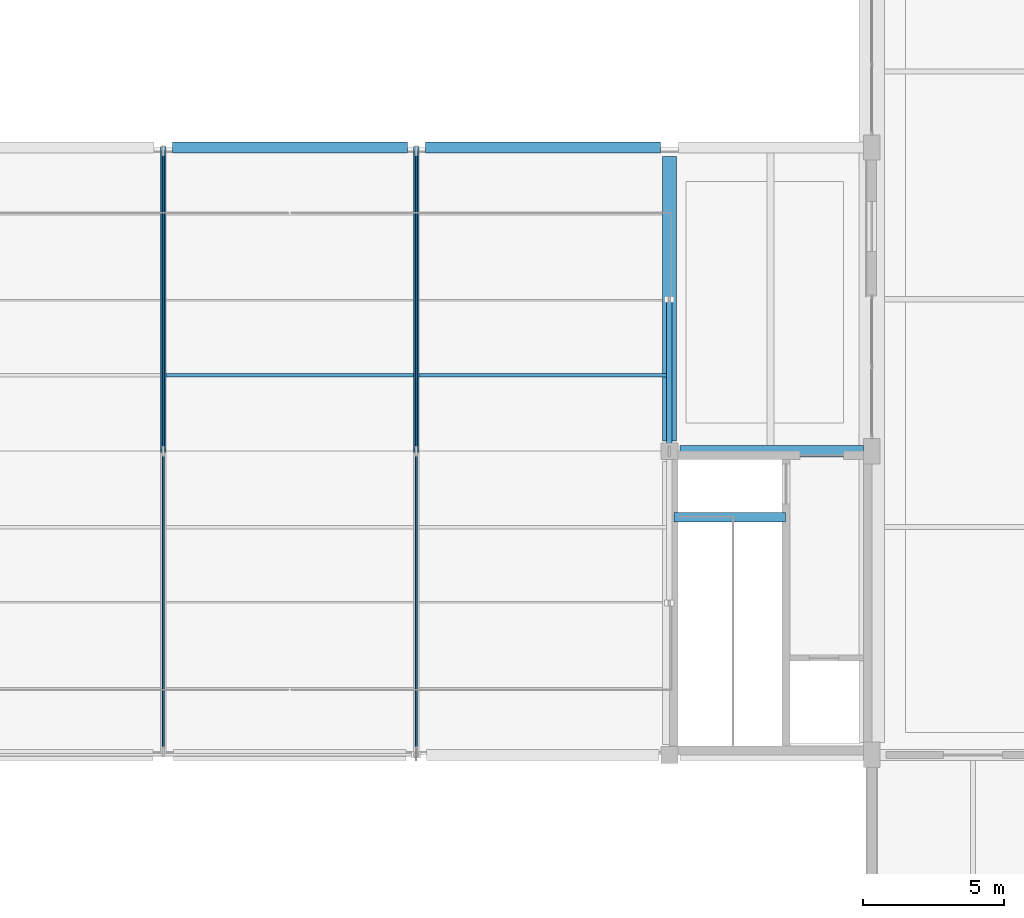
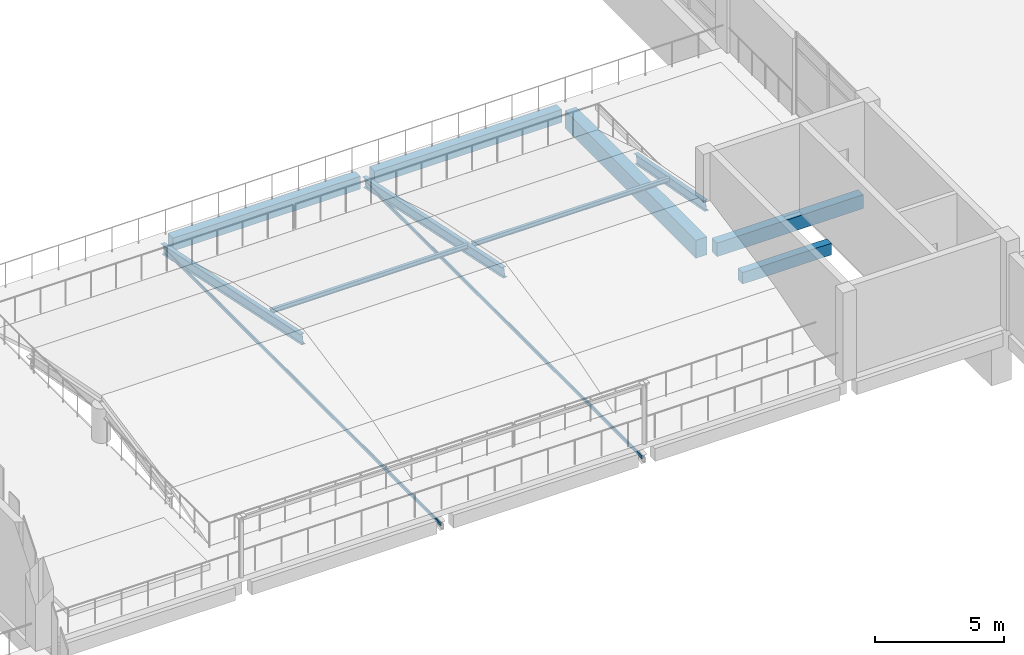
# One storey, part 21 of 158: 8 beams, 4 members.
"""IFC4 building model written with IfcOpenShell, lengths in metres."""

from ifc_helpers import new_model, si_unit, direction, frame, origin, origin_2d, place, context, subcontext, project, spatial, rectangle, hollow_rectangle, i_section, extrude, material, material_profile, profile_set, type_object, element, save


model = new_model("IFC4")

# Units and contexts
model_context = context("Model", 3, precision=1e-05, world=origin(), true_north=direction((0.0, 1.0)))
body_context = subcontext(model_context, "Body", "Model", "MODEL_VIEW")
ifc_project = project(units=[si_unit("LENGTHUNIT", "METRE"), si_unit("AREAUNIT", "SQUARE_METRE"), si_unit("VOLUMEUNIT", "CUBIC_METRE"), si_unit("PLANEANGLEUNIT", "RADIAN"), si_unit("MASSUNIT", "GRAM", prefix="KILO")], contexts=[model_context])

# Site, building, storey
site_placement = place(None, origin())
site = spatial("IfcSite", under=ifc_project, at=site_placement, CompositionType="ELEMENT")
building_placement = place(site_placement, origin())
building = spatial("IfcBuilding", under=site, at=building_placement, Name="Lusvemor Sports Hall", CompositionType="ELEMENT")
storey_placement = place(building_placement, frame((0.0, 0.0, 10.800048828125)))
storey = spatial("IfcBuildingStorey", under=building, at=storey_placement, Name="L02", CompositionType="ELEMENT", Elevation=10.800048828125)

# Beams
ifc_material_1 = material(Name="Concrete C40/50", Category="concrete")
ifc_material_profile_1 = material_profile(ifc_material_1, rectangle(XDim=0.35009765625, YDim=0.550048828125, at=origin_2d()), Name="RC350x550")
ifc_profile_set_1 = profile_set([ifc_material_profile_1], Name="Concrete C40/50")
beam_type_1 = type_object("IfcBeamType", Name="BEAM_RC_550", PredefinedType="BEAM", material=ifc_profile_set_1)
beam_1_placement = place(storey_placement, frame((111.760009765625, 15.64990234375, -0.455078125), z_axis=(1.0, 0.0, 0.0), x_axis=(0.0, 1.0, 0.0)))
element("IfcBeam", 1, at=beam_1_placement, inside=storey, type_object=beam_type_1, Name="Stair STR-C7-L01 Top-Landing Beam", PredefinedType="BEAM", context=body_context, shape_type="SweptSolid", body=[
    extrude(rectangle(XDim=0.35009765625, YDim=0.550048828125, at=origin_2d()), origin(), (0.0, 0.0, 1.0), 3.97998046875),
])
ifc_material_2 = material(Name="Concrete C40/50", Category="concrete")
ifc_material_profile_2 = material_profile(ifc_material_2, rectangle(XDim=0.39990234375, YDim=0.64990234375, at=origin_2d()), Name="RC400x650")
ifc_profile_set_2 = profile_set([ifc_material_profile_2], Name="Concrete C40/50")
beam_type_2 = type_object("IfcBeamType", Name="BEAM_RC_650", PredefinedType="BEAM", material=ifc_profile_set_2)
beam_2_placement = place(storey_placement, frame((111.970947265625, 18.0, -0.594970703125), z_axis=(1.0, 0.0, 0.0), x_axis=(0.0, 1.0, 0.0)))
element("IfcBeam", 2, at=beam_2_placement, inside=storey, type_object=beam_type_2, Name="Beam L02 C:12-13", PredefinedType="BEAM", context=body_context, shape_type="SweptSolid", body=[
    extrude(rectangle(XDim=0.39990234375, YDim=0.64990234375, at=origin_2d()), origin(), (0.0, 0.0, 1.0), 6.532958984375),
])
ifc_material_3 = material(Name="Concrete C40/50", Category="concrete")
ifc_material_profile_3 = material_profile(ifc_material_3, rectangle(XDim=0.5, YDim=0.85009765625, at=origin_2d()), Name="RC500x850")
ifc_profile_set_3 = profile_set([ifc_material_profile_3], Name="Concrete C40/50")
beam_type_3 = type_object("IfcBeamType", Name="GIRD_RC_850", PredefinedType="T_BEAM", material=ifc_profile_set_3)
beam_3_placement = place(storey_placement, frame((111.60009765625, 18.37109375, -0.695068359375), z_axis=(0.0, 1.0, 0.0), x_axis=(-1.0, 0.0, 0.0)))
element("IfcBeam", 3, at=beam_3_placement, inside=storey, type_object=beam_type_3, Name="Beam L02 12:C-D", PredefinedType="T_BEAM", context=body_context, shape_type="SweptSolid", body=[
    extrude(rectangle(XDim=0.5, YDim=0.85009765625, at=origin_2d()), origin(), (0.0, 0.0, 1.0), 10.10791015625),
])
ifc_material_4 = material(Name="Steel S355", Category="steel")
ifc_material_profile_4 = material_profile(ifc_material_4, i_section(OverallWidth=0.18994140625, OverallDepth=0.45703125, WebThickness=0.009033203125, FlangeThickness=0.014404296875, FilletRadius=0.01806640625, at=origin_2d()), Name="W460x74.0")
ifc_profile_set_4 = profile_set([ifc_material_profile_4], Name="Steel S355")
beam_type_4 = type_object("IfcBeamType", Name="GIRD_ST_460", PredefinedType="T_BEAM", material=ifc_profile_set_4)
for number, where, z_axis, x_axis, name in (
    (4, (93.60009765625, 28.800048828125, -0.75), (0.0, -0.978799085131, 0.204822730544), (1.0, 0.0, 0.0), "Foyer Lantern Portal Rafter 10-2"),
    (5, (102.60009765625, 28.800048828125, -0.75), (0.0, -0.978799085131, 0.204822730544), (1.0, 0.0, 0.0), "Foyer Lantern Portal Rafter 11-2"),
):
    element("IfcBeam", number, at=place(storey_placement, frame(where, z_axis=z_axis, x_axis=x_axis)), inside=storey, type_object=beam_type_4, Name=name, PredefinedType="T_BEAM", context=body_context, shape_type="SweptSolid", body=[
        extrude(i_section(OverallWidth=0.18994140625, OverallDepth=0.45703125, WebThickness=0.009033203125, FlangeThickness=0.014404296875, FilletRadius=0.01806640625, at=origin_2d()), origin(), (0.0, 0.0, 1.0), 11.033935546875),
    ])
beam_4_placement = place(storey_placement, frame((111.60009765625, 23.39990234375, 0.47998046875), z_axis=(0.0, -0.982289164746, 0.187371280679), x_axis=(1.0, 0.0, 0.0)))
element("IfcBeam", 6, at=beam_4_placement, inside=storey, type_object=beam_type_4, Name="Foyer Lantern Portal Rafter 12-2", PredefinedType="T_BEAM", context=body_context, shape_type="SweptSolid", body=[
    extrude(i_section(OverallWidth=0.18994140625, OverallDepth=0.45703125, WebThickness=0.009033203125, FlangeThickness=0.014404296875, FilletRadius=0.01806640625, at=origin_2d()), origin(), (0.0, 0.0, 1.0), 5.497314453125),
])

# Members
ifc_material_5 = material(Name="Steel S355", Category="steel")
ifc_material_profile_5 = material_profile(ifc_material_5, i_section(OverallWidth=0.133056640625, OverallDepth=0.20703125, WebThickness=0.005859375, FlangeThickness=0.00830078125, FilletRadius=0.010009765625, at=origin_2d()), Name="W200x26.6")
ifc_profile_set_5 = profile_set([ifc_material_profile_5], Name="Steel S355")
member_type_1 = type_object("IfcMemberType", Name="PURL_FOYER_200", PredefinedType="PURLIN", material=ifc_profile_set_5)
for number, where, z_axis, x_axis, name in (
    (7, (93.68994140625, 20.699951171875, 1.163818359375), (1.0, 0.0, 0.0), (0.0, 1.0, 0.0), "Lantern Purlin 10-2"),
    (8, (102.68994140625, 20.699951171875, 1.163818359375), (1.0, 0.0, 0.0), (0.0, 1.0, 0.0), "Lantern Purlin 11-2"),
):
    element("IfcMember", number, at=place(storey_placement, frame(where, z_axis=z_axis, x_axis=x_axis)), inside=storey, type_object=member_type_1, Name=name, PredefinedType="PURLIN", context=body_context, shape_type="SweptSolid", body=[
        extrude(i_section(OverallWidth=0.133056640625, OverallDepth=0.20703125, WebThickness=0.005859375, FlangeThickness=0.00830078125, FilletRadius=0.010009765625, at=origin_2d()), origin(), (0.0, 0.0, 1.0), 8.820068359375),
    ])

# Beams
ifc_material_6 = material(Name="Concrete C40/50", Category="concrete")
ifc_material_profile_6 = material_profile(ifc_material_6, rectangle(XDim=0.39990234375, YDim=0.610107421875, at=origin_2d()), Name="RC400x610")
ifc_profile_set_6 = profile_set([ifc_material_profile_6], Name="Concrete C40/50")
beam_type_5 = type_object("IfcBeamType", Name="SPAND_EXT_650", PredefinedType="SPANDREL", material=ifc_profile_set_6)
for number, where, z_axis, x_axis, name in (
    (9, (93.9208984375, 28.800048828125, -0.574951171875), (1.0, 0.0, 0.0), (0.0, 1.0, 0.0), "Beam L02 D:10-11"),
    (10, (102.9208984375, 28.800048828125, -0.574951171875), (1.0, 0.0, 0.0), (0.0, 1.0, 0.0), "Beam L02 D:11-12"),
):
    element("IfcBeam", number, at=place(storey_placement, frame(where, z_axis=z_axis, x_axis=x_axis)), inside=storey, type_object=beam_type_5, Name=name, PredefinedType="SPANDREL", context=body_context, shape_type="SweptSolid", body=[
        extrude(rectangle(XDim=0.39990234375, YDim=0.610107421875, at=origin_2d()), origin(), (0.0, 0.0, 1.0), 8.358154296875),
    ])

# Members
ifc_material_7 = material(Name="Steel S355", Category="steel")
ifc_material_profile_7 = material_profile(ifc_material_7, hollow_rectangle(XDim=0.080078125, YDim=0.159912109375, WallThickness=0.008056640625, InnerFilletRadius=0.008056640625, OuterFilletRadius=0.01611328125, at=origin_2d()), Name="RHS160x80x8")
ifc_profile_set_7 = profile_set([ifc_material_profile_7], Name="Steel S355")
member_type_2 = type_object("IfcMemberType", Name="STRUT_LANTERN_160", PredefinedType="STRUT", material=ifc_profile_set_7)
for number, where, z_axis, x_axis, name in (
    (11, (93.60009765625, 7.31005859375, -0.75), (0.0, 1.0, 0.0), (-1.0, 0.0, 0.0), "Foyer Portal Tie 10"),
    (12, (102.60009765625, 7.31005859375, -0.75), (0.0, 1.0, 0.0), (-1.0, 0.0, 0.0), "Foyer Portal Tie 11"),
):
    element("IfcMember", number, at=place(storey_placement, frame(where, z_axis=z_axis, x_axis=x_axis)), inside=storey, type_object=member_type_2, Name=name, PredefinedType="STRUT", context=body_context, shape_type="SweptSolid", body=[
        extrude(hollow_rectangle(XDim=0.080078125, YDim=0.159912109375, WallThickness=0.008056640625, InnerFilletRadius=0.008056640625, OuterFilletRadius=0.01611328125, at=origin_2d()), origin(), (0.0, 0.0, 1.0), 21.3798828125),
    ])

save(model, "model.ifc")
